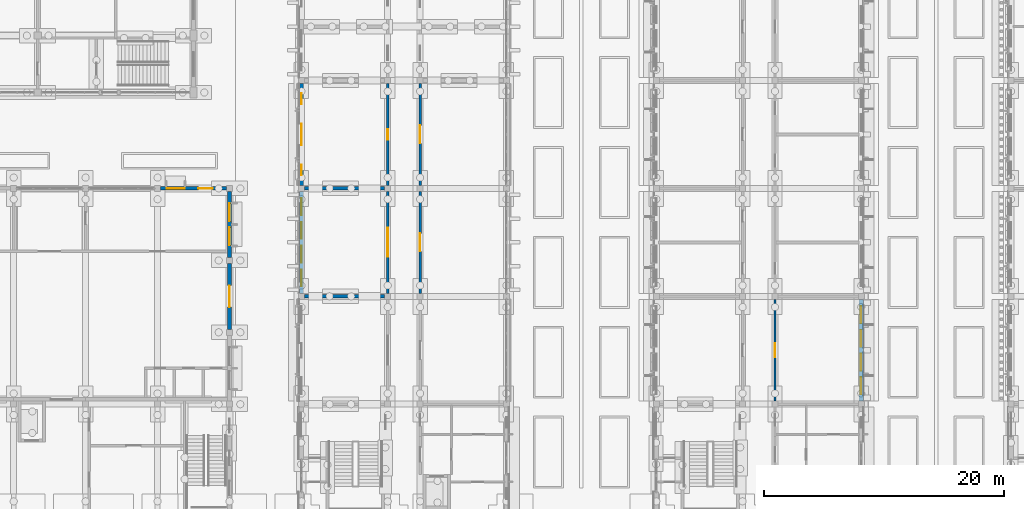
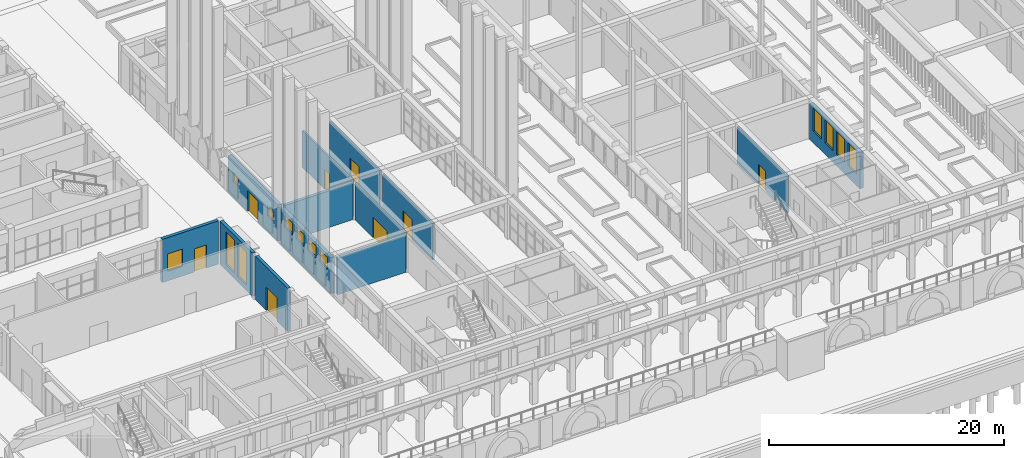
# One storey, part 61 of 161: 13 walls, 13 windows, 8 doors, 21 openings.
"""IFC4 building model written with IfcOpenShell, lengths in metres."""

from ifc_helpers import new_model, si_unit, direction, frame, frame_2d, origin, place, context, subcontext, project, spatial, rectangle, extrude, material, layer, layer_set, type_object, element, fill, save


model = new_model("IFC4")

# Units and contexts
model_context = context("Model", 3, precision=1e-05, world=origin(), true_north=direction((0.0, 1.0)))
body_context = subcontext(model_context, "Body", "Model", "MODEL_VIEW")
ifc_project = project(units=[si_unit("LENGTHUNIT", "METRE"), si_unit("AREAUNIT", "SQUARE_METRE"), si_unit("VOLUMEUNIT", "CUBIC_METRE"), si_unit("PLANEANGLEUNIT", "RADIAN"), si_unit("MASSUNIT", "GRAM", prefix="KILO")], contexts=[model_context])

# Site, building, storey
site_placement = place(None, origin())
site = spatial("IfcSite", under=ifc_project, at=site_placement, CompositionType="ELEMENT")
building_placement = place(site_placement, origin())
building = spatial("IfcBuilding", under=site, at=building_placement, Name="Elbe Cascade School", CompositionType="ELEMENT")
storey_placement = place(building_placement, origin())
storey = spatial("IfcBuildingStorey", under=building, at=storey_placement, Name="L00", CompositionType="ELEMENT", Elevation=0.0)

# Wall, opening, door
ifc_material_1 = material(Name="Masonry - lime-sand block, plastered", Category="masonry")
ifc_layer_1 = layer(ifc_material_1, 0.199951171875)
ifc_layer_set_1 = layer_set([ifc_layer_1], Name="Masonry - lime-sand block, plastered")
wall_type_1 = type_object("IfcWallType", Name="Bar corridor wall lime-sand block 200 EI 30", PredefinedType="PARTITIONING", material=ifc_layer_set_1)
wall_1_placement = place(storey_placement, frame((76.199951171875, 24.25, 0.0), z_axis=(0.0, 0.0, 1.0), x_axis=(0.0, 1.0, 0.0)))
wall_1 = element("IfcWall", 1, at=wall_1_placement, inside=storey, type_object=wall_type_1, Name="Bar corridor wall lime-sand block 200 EI 30", PredefinedType="PARTITIONING", context=body_context, shape_type="SweptSolid", body=[
    extrude(rectangle(XDim=8.5, YDim=0.199951171875, at=frame_2d((4.25, 0.0))), origin(), (0.0, 0.0, 1.0), 3.800048828125),
])
opening_1_placement = place(wall_1_placement, frame((3.050048828125, 0.0, 0.0)))
opening_1 = element("IfcOpeningElement", 2, at=opening_1_placement, cuts=wall_1, Name="Opening D0.015", PredefinedType="OPENING", context=body_context, shape_type="SweptSolid", body=[
    extrude(rectangle(XDim=2.39990234375, YDim=2.10009765625, at=frame_2d((1.199951171875, 1.050048828125))), frame((0.0, 0.10986328125, 0.0), z_axis=(0.0, -1.0, 0.0), x_axis=(1.0, 0.0, 0.0)), (0.0, 0.0, 1.0), 0.219970703125),
])
ifc_material_2 = material(Name="Steel door leaves, fire-resisting, steel frame", Category="steel")
door_type_1 = type_object("IfcDoorType", Name="Bar door FD30 2400x2100", OperationType="NOTDEFINED", PredefinedType="DOOR", material=ifc_material_2)
door_1_placement = place(opening_1_placement, origin())
door_1 = element("IfcDoor", 3, at=door_1_placement, inside=storey, type_object=door_type_1, Name="Door A0.21", OperationType="DOUBLE_DOOR_DOUBLE_SWING", OverallHeight=2.10009765625, OverallWidth=2.39990234375, PredefinedType="DOOR", context=body_context, shape_type="SweptSolid", body=[
    extrude(rectangle(XDim=2.39990234375, YDim=2.10009765625, at=frame_2d((1.199951171875, 1.050048828125))), frame((0.0, 0.02490234375, 0.0), z_axis=(0.0, -1.0, 0.0), x_axis=(1.0, 0.0, 0.0)), (0.0, 0.0, 1.0), 0.050048828125),
])
fill(opening_1, door_1)

wall_2_placement = place(storey_placement, frame((76.199951171875, 33.25, 0.0), z_axis=(0.0, 0.0, 1.0), x_axis=(0.0, 1.0, 0.0)))
wall_2 = element("IfcWall", 4, at=wall_2_placement, inside=storey, type_object=wall_type_1, Name="Bar corridor wall lime-sand block 200 EI 30", PredefinedType="PARTITIONING", context=body_context, shape_type="SweptSolid", body=[
    extrude(rectangle(XDim=8.5, YDim=0.199951171875, at=frame_2d((4.25, 0.0))), origin(), (0.0, 0.0, 1.0), 3.800048828125),
])
opening_2_placement = place(wall_2_placement, frame((3.800048828125, 0.0, 0.0)))
opening_2 = element("IfcOpeningElement", 5, at=opening_2_placement, cuts=wall_2, Name="Opening D0.018", PredefinedType="OPENING", context=body_context, shape_type="SweptSolid", body=[
    extrude(rectangle(XDim=0.89990234375, YDim=2.10009765625, at=frame_2d((0.449951171875, 1.050048828125))), frame((0.0, 0.10986328125, 0.0), z_axis=(0.0, -1.0, 0.0), x_axis=(1.0, 0.0, 0.0)), (0.0, 0.0, 1.0), 0.219970703125),
])
ifc_material_3 = material(Name="Timber door leaf, fire-resisting, steel frame", Category="steel")
door_type_2 = type_object("IfcDoorType", Name="Bar door FD30 900x2100", OperationType="NOTDEFINED", PredefinedType="DOOR", material=ifc_material_3)
door_2_placement = place(opening_2_placement, origin())
door_2 = element("IfcDoor", 6, at=door_2_placement, inside=storey, type_object=door_type_2, Name="Door A0.22", OperationType="SINGLE_SWING_LEFT", OverallHeight=2.10009765625, OverallWidth=0.89990234375, PredefinedType="DOOR", context=body_context, shape_type="SweptSolid", body=[
    extrude(rectangle(XDim=0.89990234375, YDim=2.10009765625, at=frame_2d((0.449951171875, 1.050048828125))), frame((0.0, 0.02490234375, 0.0), z_axis=(0.0, -1.0, 0.0), x_axis=(1.0, 0.0, 0.0)), (0.0, 0.0, 1.0), 0.050048828125),
])
fill(opening_2, door_2)

wall_3_placement = place(storey_placement, frame((78.89990234375, 32.75, 0.0), z_axis=(0.0, 0.0, 1.0), x_axis=(0.0, -1.0, 0.0)))
wall_3 = element("IfcWall", 7, at=wall_3_placement, inside=storey, type_object=wall_type_1, Name="Bar corridor wall lime-sand block 200 EI 30", PredefinedType="PARTITIONING", context=body_context, shape_type="SweptSolid", body=[
    extrude(rectangle(XDim=8.5, YDim=0.199951171875, at=frame_2d((4.25, 0.0))), origin(), (0.0, 0.0, 1.0), 3.800048828125),
])
opening_3_placement = place(wall_3_placement, frame((3.5, 0.0, 0.0)))
opening_3 = element("IfcOpeningElement", 8, at=opening_3_placement, cuts=wall_3, Name="Opening D0.016", PredefinedType="OPENING", context=body_context, shape_type="SweptSolid", body=[
    extrude(rectangle(XDim=1.5, YDim=2.10009765625, at=frame_2d((0.75, 1.050048828125))), frame((0.0, 0.10986328125, 0.0), z_axis=(0.0, -1.0, 0.0), x_axis=(1.0, 0.0, 0.0)), (0.0, 0.0, 1.0), 0.219970703125),
])
ifc_material_4 = material(Name="Timber door leaves, fire-resisting, steel frame", Category="steel")
door_type_3 = type_object("IfcDoorType", Name="Bar door FD30 1500x2100", OperationType="NOTDEFINED", PredefinedType="DOOR", material=ifc_material_4)
door_3_placement = place(opening_3_placement, origin())
door_3 = element("IfcDoor", 9, at=door_3_placement, inside=storey, type_object=door_type_3, Name="Door A0.25b", OperationType="DOUBLE_DOOR_SINGLE_SWING", OverallHeight=2.10009765625, OverallWidth=1.5, PredefinedType="DOOR", context=body_context, shape_type="SweptSolid", body=[
    extrude(rectangle(XDim=1.5, YDim=2.10009765625, at=frame_2d((0.75, 1.050048828125))), frame((0.0, 0.02490234375, 0.0), z_axis=(0.0, -1.0, 0.0), x_axis=(1.0, 0.0, 0.0)), (0.0, 0.0, 1.0), 0.050048828125),
])
fill(opening_3, door_3)

wall_4_placement = place(storey_placement, frame((78.89990234375, 41.75, 0.0), z_axis=(0.0, 0.0, 1.0), x_axis=(0.0, -1.0, 0.0)))
wall_4 = element("IfcWall", 10, at=wall_4_placement, inside=storey, type_object=wall_type_1, Name="Bar corridor wall lime-sand block 200 EI 30", PredefinedType="PARTITIONING", context=body_context, shape_type="SweptSolid", body=[
    extrude(rectangle(XDim=8.5, YDim=0.199951171875, at=frame_2d((4.25, 0.0))), origin(), (0.0, 0.0, 1.0), 3.800048828125),
])
opening_4_placement = place(wall_4_placement, frame((3.5, 0.0, 0.0)))
opening_4 = element("IfcOpeningElement", 11, at=opening_4_placement, cuts=wall_4, Name="Opening D0.019", PredefinedType="OPENING", context=body_context, shape_type="SweptSolid", body=[
    extrude(rectangle(XDim=1.5, YDim=2.10009765625, at=frame_2d((0.75, 1.050048828125))), frame((0.0, 0.10986328125, 0.0), z_axis=(0.0, -1.0, 0.0), x_axis=(1.0, 0.0, 0.0)), (0.0, 0.0, 1.0), 0.219970703125),
])
door_4_placement = place(opening_4_placement, origin())
door_4 = element("IfcDoor", 12, at=door_4_placement, inside=storey, type_object=door_type_3, Name="Door A0.25c", OperationType="DOUBLE_DOOR_SINGLE_SWING", OverallHeight=2.10009765625, OverallWidth=1.5, PredefinedType="DOOR", context=body_context, shape_type="SweptSolid", body=[
    extrude(rectangle(XDim=1.5, YDim=2.10009765625, at=frame_2d((0.75, 1.050048828125))), frame((0.0, 0.02490234375, 0.0), z_axis=(0.0, -1.0, 0.0), x_axis=(1.0, 0.0, 0.0)), (0.0, 0.0, 1.0), 0.050048828125),
])
fill(opening_4, door_4)

wall_5_placement = place(storey_placement, frame((108.5, 23.75, 0.0), z_axis=(0.0, 0.0, 1.0), x_axis=(0.0, -1.0, 0.0)))
wall_5 = element("IfcWall", 13, at=wall_5_placement, inside=storey, type_object=wall_type_1, Name="Bar corridor wall lime-sand block 200 EI 30", PredefinedType="PARTITIONING", context=body_context, shape_type="SweptSolid", body=[
    extrude(rectangle(XDim=8.5, YDim=0.199951171875, at=frame_2d((4.25, 0.0))), origin(), (0.0, 0.0, 1.0), 3.800048828125),
])
opening_5_placement = place(wall_5_placement, frame((3.64990234375, 0.0, 0.0)))
opening_5 = element("IfcOpeningElement", 14, at=opening_5_placement, cuts=wall_5, Name="Opening D0.048", PredefinedType="OPENING", context=body_context, shape_type="SweptSolid", body=[
    extrude(rectangle(XDim=1.199951171875, YDim=2.10009765625, at=frame_2d((0.60009765625, 1.050048828125))), frame((0.0, 0.10986328125, 0.0), z_axis=(0.0, -1.0, 0.0), x_axis=(1.0, 0.0, 0.0)), (0.0, 0.0, 1.0), 0.219970703125),
])
ifc_material_5 = material(Name="Timber door leaf, fire-resisting, steel frame", Category="steel")
door_type_4 = type_object("IfcDoorType", Name="Bar door FD30 1200x2100", OperationType="NOTDEFINED", PredefinedType="DOOR", material=ifc_material_5)
door_5_placement = place(opening_5_placement, origin())
door_5 = element("IfcDoor", 15, at=door_5_placement, inside=storey, type_object=door_type_4, Name="Door B0.24", OperationType="SINGLE_SWING_LEFT", OverallHeight=2.10009765625, OverallWidth=1.199951171875, PredefinedType="DOOR", context=body_context, shape_type="SweptSolid", body=[
    extrude(rectangle(XDim=1.199951171875, YDim=2.10009765625, at=frame_2d((0.60009765625, 1.050048828125))), frame((0.0, 0.02490234375, 0.0), z_axis=(0.0, -1.0, 0.0), x_axis=(1.0, 0.0, 0.0)), (0.0, 0.0, 1.0), 0.050048828125),
])
fill(opening_5, door_5)

# Walls
ifc_material_6 = material(Name="Concrete C30/37", Category="concrete")
ifc_layer_2 = layer(ifc_material_6, 0.300048828125)
ifc_layer_set_2 = layer_set([ifc_layer_2], Name="Concrete C30/37")
wall_type_2 = type_object("IfcWallType", Name="Bar plant room wall RC 300", PredefinedType="SOLIDWALL", material=ifc_layer_set_2)
for number, where, z_axis, x_axis, name in (
    (16, (69.25, 24.0, 0.0), (0.0, 0.0, 1.0), (1.0, 0.0, 0.0), "Bar plant room wall RC 300"),
    (17, (69.25, 33.0, 0.0), (0.0, 0.0, 1.0), (1.0, 0.0, 0.0), "Bar plant room wall RC 300"),
):
    element("IfcWall", number, at=place(storey_placement, frame(where, z_axis=z_axis, x_axis=x_axis)), inside=storey, type_object=wall_type_2, Name=name, PredefinedType="SOLIDWALL", context=body_context, shape_type="SweptSolid", body=[
        extrude(rectangle(XDim=6.699951171875, YDim=0.300048828125, at=frame_2d((3.35009765625, 0.0))), origin(), (0.0, 0.0, 1.0), 3.800048828125),
    ])

# Wall, openings, windows
ifc_material_7 = material(Name="Brick masonry - red clinker, cavity wall with render backing", Category="masonry")
ifc_layer_3 = layer(ifc_material_7, 0.360107421875)
ifc_layer_set_3 = layer_set([ifc_layer_3], Name="Brick masonry - red clinker, cavity wall with render backing")
wall_type_3 = type_object("IfcWallType", Name="Bars envelope External wall - clinker brick cavity, 360 ground floor", PredefinedType="STANDARD", material=ifc_layer_set_3)
wall_6_placement = place(storey_placement, frame((69.0, 24.25, 0.0), z_axis=(0.0, 0.0, 1.0), x_axis=(0.0, 1.0, 0.0)))
wall_6 = element("IfcWall", 18, at=wall_6_placement, inside=storey, type_object=wall_type_3, Name="External wall W29 A.L00.w3", PredefinedType="STANDARD", context=body_context, shape_type="SweptSolid", body=[
    extrude(rectangle(XDim=8.5, YDim=0.360107421875, at=frame_2d((4.25, 0.0))), origin(), (0.0, 0.0, 1.0), 3.75),
])
opening_6_placement = place(wall_6_placement, frame((0.580078125, 0.0, 2.199951171875)))
opening_6 = element("IfcOpeningElement", 19, at=opening_6_placement, cuts=wall_6, Name="Opening W0.005", PredefinedType="OPENING", context=body_context, shape_type="SweptSolid", body=[
    extrude(rectangle(XDim=1.39990234375, YDim=1.199951171875, at=frame_2d((0.699951171875, 0.60009765625))), frame((0.0, 0.18994140625, 0.0), z_axis=(0.0, -1.0, 0.0), x_axis=(1.0, 0.0, 0.0)), (0.0, 0.0, 1.0), 0.380126953125),
])
opening_7_placement = place(wall_6_placement, frame((2.56005859375, 0.0, 2.199951171875)))
opening_7 = element("IfcOpeningElement", 20, at=opening_7_placement, cuts=wall_6, Name="Opening W0.006", PredefinedType="OPENING", context=body_context, shape_type="SweptSolid", body=[
    extrude(rectangle(XDim=1.39990234375, YDim=1.199951171875, at=frame_2d((0.699951171875, 0.60009765625))), frame((0.0, 0.18994140625, 0.0), z_axis=(0.0, -1.0, 0.0), x_axis=(1.0, 0.0, 0.0)), (0.0, 0.0, 1.0), 0.380126953125),
])
opening_8_placement = place(wall_6_placement, frame((4.5400390625, 0.0, 2.199951171875)))
opening_8 = element("IfcOpeningElement", 21, at=opening_8_placement, cuts=wall_6, Name="Opening W0.007", PredefinedType="OPENING", context=body_context, shape_type="SweptSolid", body=[
    extrude(rectangle(XDim=1.39990234375, YDim=1.199951171875, at=frame_2d((0.699951171875, 0.60009765625))), frame((0.0, 0.18994140625, 0.0), z_axis=(0.0, -1.0, 0.0), x_axis=(1.0, 0.0, 0.0)), (0.0, 0.0, 1.0), 0.380126953125),
])
opening_9_placement = place(wall_6_placement, frame((6.52001953125, 0.0, 2.199951171875)))
opening_9 = element("IfcOpeningElement", 22, at=opening_9_placement, cuts=wall_6, Name="Opening W0.008", PredefinedType="OPENING", context=body_context, shape_type="SweptSolid", body=[
    extrude(rectangle(XDim=1.39990234375, YDim=1.199951171875, at=frame_2d((0.699951171875, 0.60009765625))), frame((0.0, 0.18994140625, 0.0), z_axis=(0.0, -1.0, 0.0), x_axis=(1.0, 0.0, 0.0)), (0.0, 0.0, 1.0), 0.380126953125),
])
ifc_material_8 = material(Name="Aluminium louvre, bronze anodised", Category="aluminium")
window_type_1 = type_object("IfcWindowType", Name="Bars envelope Window 1400 x 1200, plant room louvre, aluminium double glazed", PartitioningType="DOUBLE_PANEL_VERTICAL", PredefinedType="WINDOW", material=ifc_material_8)
window_1_placement = place(opening_6_placement, origin())
window_1 = element("IfcWindow", 23, at=window_1_placement, inside=storey, type_object=window_type_1, Name="Window WN3 A.L00.w3.1", OverallHeight=1.199951171875, OverallWidth=1.39990234375, PartitioningType="DOUBLE_PANEL_VERTICAL", PredefinedType="WINDOW", context=body_context, shape_type="SweptSolid", body=[
    extrude(rectangle(XDim=1.39990234375, YDim=1.199951171875, at=frame_2d((0.699951171875, 0.60009765625))), frame((0.0, 0.030029296875, 0.0), z_axis=(0.0, -1.0, 0.0), x_axis=(1.0, 0.0, 0.0)), (0.0, 0.0, 1.0), 0.06005859375),
])
fill(opening_6, window_1)
window_2_placement = place(opening_7_placement, origin())
window_2 = element("IfcWindow", 24, at=window_2_placement, inside=storey, type_object=window_type_1, Name="Window WN3 A.L00.w3.2", OverallHeight=1.199951171875, OverallWidth=1.39990234375, PartitioningType="DOUBLE_PANEL_VERTICAL", PredefinedType="WINDOW", context=body_context, shape_type="SweptSolid", body=[
    extrude(rectangle(XDim=1.39990234375, YDim=1.199951171875, at=frame_2d((0.699951171875, 0.60009765625))), frame((0.0, 0.030029296875, 0.0), z_axis=(0.0, -1.0, 0.0), x_axis=(1.0, 0.0, 0.0)), (0.0, 0.0, 1.0), 0.06005859375),
])
fill(opening_7, window_2)
window_3_placement = place(opening_8_placement, origin())
window_3 = element("IfcWindow", 25, at=window_3_placement, inside=storey, type_object=window_type_1, Name="Window WN3 A.L00.w3.3", OverallHeight=1.199951171875, OverallWidth=1.39990234375, PartitioningType="DOUBLE_PANEL_VERTICAL", PredefinedType="WINDOW", context=body_context, shape_type="SweptSolid", body=[
    extrude(rectangle(XDim=1.39990234375, YDim=1.199951171875, at=frame_2d((0.699951171875, 0.60009765625))), frame((0.0, 0.030029296875, 0.0), z_axis=(0.0, -1.0, 0.0), x_axis=(1.0, 0.0, 0.0)), (0.0, 0.0, 1.0), 0.06005859375),
])
fill(opening_8, window_3)
window_4_placement = place(opening_9_placement, origin())
window_4 = element("IfcWindow", 26, at=window_4_placement, inside=storey, type_object=window_type_1, Name="Window WN3 A.L00.w3.4", OverallHeight=1.199951171875, OverallWidth=1.39990234375, PartitioningType="DOUBLE_PANEL_VERTICAL", PredefinedType="WINDOW", context=body_context, shape_type="SweptSolid", body=[
    extrude(rectangle(XDim=1.39990234375, YDim=1.199951171875, at=frame_2d((0.699951171875, 0.60009765625))), frame((0.0, 0.030029296875, 0.0), z_axis=(0.0, -1.0, 0.0), x_axis=(1.0, 0.0, 0.0)), (0.0, 0.0, 1.0), 0.06005859375),
])
fill(opening_9, window_4)

# Wall, openings, door, windows
wall_7_placement = place(storey_placement, frame((69.0, 33.25, 0.0), z_axis=(0.0, 0.0, 1.0), x_axis=(0.0, 1.0, 0.0)))
wall_7 = element("IfcWall", 27, at=wall_7_placement, inside=storey, type_object=wall_type_3, Name="External wall W29 A.L00.w4", PredefinedType="STANDARD", context=body_context, shape_type="SweptSolid", body=[
    extrude(rectangle(XDim=8.5, YDim=0.360107421875, at=frame_2d((4.25, 0.0))), origin(), (0.0, 0.0, 1.0), 3.75),
])
opening_10_placement = place(wall_7_placement, frame((0.830078125, 0.0, 1.60009765625)))
opening_10 = element("IfcOpeningElement", 28, at=opening_10_placement, cuts=wall_7, Name="Opening W0.009", PredefinedType="OPENING", context=body_context, shape_type="SweptSolid", body=[
    extrude(rectangle(XDim=0.89990234375, YDim=1.0, at=frame_2d((0.449951171875, 0.5))), frame((0.0, 0.18994140625, 0.0), z_axis=(0.0, -1.0, 0.0), x_axis=(1.0, 0.0, 0.0)), (0.0, 0.0, 1.0), 0.380126953125),
])
opening_11_placement = place(wall_7_placement, frame((3.35009765625, 0.0, 0.0)))
opening_11 = element("IfcOpeningElement", 29, at=opening_11_placement, cuts=wall_7, Name="Opening D0.017", PredefinedType="OPENING", context=body_context, shape_type="SweptSolid", body=[
    extrude(rectangle(XDim=1.800048828125, YDim=2.10009765625, at=frame_2d((0.89990234375, 1.050048828125))), frame((0.0, 0.18994140625, 0.0), z_axis=(0.0, -1.0, 0.0), x_axis=(1.0, 0.0, 0.0)), (0.0, 0.0, 1.0), 0.380126953125),
])
opening_12_placement = place(wall_7_placement, frame((6.77001953125, 0.0, 1.60009765625)))
opening_12 = element("IfcOpeningElement", 30, at=opening_12_placement, cuts=wall_7, Name="Opening W0.010", PredefinedType="OPENING", context=body_context, shape_type="SweptSolid", body=[
    extrude(rectangle(XDim=0.89990234375, YDim=1.0, at=frame_2d((0.449951171875, 0.5))), frame((0.0, 0.18994140625, 0.0), z_axis=(0.0, -1.0, 0.0), x_axis=(1.0, 0.0, 0.0)), (0.0, 0.0, 1.0), 0.380126953125),
])
ifc_material_9 = material(Name="Steel door set, fire resisting", Category="steel")
door_type_5 = type_object("IfcDoorType", Name="Bars envelope Cycle store door, double leaf, 1800 x 2100, fire resisting", OperationType="DOUBLE_DOOR_SINGLE_SWING", PredefinedType="DOOR", material=ifc_material_9)
door_6_placement = place(opening_11_placement, origin())
door_6 = element("IfcDoor", 31, at=door_6_placement, inside=storey, type_object=door_type_5, Name="Cycle store door D14 A.L00.w4", OperationType="DOUBLE_DOOR_SINGLE_SWING", OverallHeight=2.10009765625, OverallWidth=1.800048828125, PredefinedType="DOOR", context=body_context, shape_type="SweptSolid", body=[
    extrude(rectangle(XDim=1.800048828125, YDim=2.10009765625, at=frame_2d((0.89990234375, 1.050048828125))), frame((0.0, 0.02490234375, 0.0), z_axis=(0.0, -1.0, 0.0), x_axis=(1.0, 0.0, 0.0)), (0.0, 0.0, 1.0), 0.050048828125),
])
fill(opening_11, door_6)
ifc_material_10 = material(Name="Aluminium frame with double glazing, bronze anodised", Category="aluminium")
window_type_2 = type_object("IfcWindowType", Name="Bars envelope Window 900 x 1000, WC and service room, high level, aluminium double glazed", PartitioningType="SINGLE_PANEL", PredefinedType="WINDOW", material=ifc_material_10)
window_5_placement = place(opening_10_placement, origin())
window_5 = element("IfcWindow", 32, at=window_5_placement, inside=storey, type_object=window_type_2, Name="Window WN4 A.L00.w4.1", OverallHeight=1.0, OverallWidth=0.89990234375, PartitioningType="SINGLE_PANEL", PredefinedType="WINDOW", context=body_context, shape_type="SweptSolid", body=[
    extrude(rectangle(XDim=0.89990234375, YDim=1.0, at=frame_2d((0.449951171875, 0.5))), frame((0.0, 0.030029296875, 0.0), z_axis=(0.0, -1.0, 0.0), x_axis=(1.0, 0.0, 0.0)), (0.0, 0.0, 1.0), 0.06005859375),
])
fill(opening_10, window_5)
window_6_placement = place(opening_12_placement, origin())
window_6 = element("IfcWindow", 33, at=window_6_placement, inside=storey, type_object=window_type_2, Name="Window WN4 A.L00.w4.3", OverallHeight=1.0, OverallWidth=0.89990234375, PartitioningType="SINGLE_PANEL", PredefinedType="WINDOW", context=body_context, shape_type="SweptSolid", body=[
    extrude(rectangle(XDim=0.89990234375, YDim=1.0, at=frame_2d((0.449951171875, 0.5))), frame((0.0, 0.030029296875, 0.0), z_axis=(0.0, -1.0, 0.0), x_axis=(1.0, 0.0, 0.0)), (0.0, 0.0, 1.0), 0.06005859375),
])
fill(opening_12, window_6)

# Wall, openings, windows
wall_8_placement = place(storey_placement, frame((115.699951171875, 23.75, 0.0), z_axis=(0.0, 0.0, 1.0), x_axis=(0.0, -1.0, 0.0)))
wall_8 = element("IfcWall", 34, at=wall_8_placement, inside=storey, type_object=wall_type_3, Name="External wall W29 B.L00.e2", PredefinedType="STANDARD", context=body_context, shape_type="SweptSolid", body=[
    extrude(rectangle(XDim=8.5, YDim=0.360107421875, at=frame_2d((4.25, 0.0))), origin(), (0.0, 0.0, 1.0), 3.75),
])
opening_13_placement = place(wall_8_placement, frame((6.52001953125, 0.0, 1.199951171875)))
opening_13 = element("IfcOpeningElement", 35, at=opening_13_placement, cuts=wall_8, Name="Opening W0.018", PredefinedType="OPENING", context=body_context, shape_type="SweptSolid", body=[
    extrude(rectangle(XDim=1.39990234375, YDim=2.39990234375, at=frame_2d((0.699951171875, 1.199951171875))), frame((0.0, 0.18994140625, 0.0), z_axis=(0.0, -1.0, 0.0), x_axis=(1.0, 0.0, 0.0)), (0.0, 0.0, 1.0), 0.380126953125),
])
opening_14_placement = place(wall_8_placement, frame((4.5400390625, 0.0, 1.199951171875)))
opening_14 = element("IfcOpeningElement", 36, at=opening_14_placement, cuts=wall_8, Name="Opening W0.020", PredefinedType="OPENING", context=body_context, shape_type="SweptSolid", body=[
    extrude(rectangle(XDim=1.39990234375, YDim=2.39990234375, at=frame_2d((0.699951171875, 1.199951171875))), frame((0.0, 0.18994140625, 0.0), z_axis=(0.0, -1.0, 0.0), x_axis=(1.0, 0.0, 0.0)), (0.0, 0.0, 1.0), 0.380126953125),
])
opening_15_placement = place(wall_8_placement, frame((2.56005859375, 0.0, 1.199951171875)))
opening_15 = element("IfcOpeningElement", 37, at=opening_15_placement, cuts=wall_8, Name="Opening W0.022", PredefinedType="OPENING", context=body_context, shape_type="SweptSolid", body=[
    extrude(rectangle(XDim=1.39990234375, YDim=2.39990234375, at=frame_2d((0.699951171875, 1.199951171875))), frame((0.0, 0.18994140625, 0.0), z_axis=(0.0, -1.0, 0.0), x_axis=(1.0, 0.0, 0.0)), (0.0, 0.0, 1.0), 0.380126953125),
])
opening_16_placement = place(wall_8_placement, frame((0.580078125, 0.0, 1.199951171875)))
opening_16 = element("IfcOpeningElement", 38, at=opening_16_placement, cuts=wall_8, Name="Opening W0.024", PredefinedType="OPENING", context=body_context, shape_type="SweptSolid", body=[
    extrude(rectangle(XDim=1.39990234375, YDim=2.39990234375, at=frame_2d((0.699951171875, 1.199951171875))), frame((0.0, 0.18994140625, 0.0), z_axis=(0.0, -1.0, 0.0), x_axis=(1.0, 0.0, 0.0)), (0.0, 0.0, 1.0), 0.380126953125),
])
ifc_material_11 = material(Name="Aluminium frame with double glazing, bronze anodised", Category="aluminium")
window_type_3 = type_object("IfcWindowType", Name="Bars envelope Window 1400 x 2400, music and art studio, high sill, aluminium double glazed", PartitioningType="DOUBLE_PANEL_VERTICAL", PredefinedType="WINDOW", material=ifc_material_11)
window_7_placement = place(opening_13_placement, origin())
window_7 = element("IfcWindow", 39, at=window_7_placement, inside=storey, type_object=window_type_3, Name="Window WN11 B.L00.e2.1", OverallHeight=2.39990234375, OverallWidth=1.39990234375, PartitioningType="DOUBLE_PANEL_VERTICAL", PredefinedType="WINDOW", context=body_context, shape_type="SweptSolid", body=[
    extrude(rectangle(XDim=1.39990234375, YDim=2.39990234375, at=frame_2d((0.699951171875, 1.199951171875))), frame((0.0, 0.030029296875, 0.0), z_axis=(0.0, -1.0, 0.0), x_axis=(1.0, 0.0, 0.0)), (0.0, 0.0, 1.0), 0.06005859375),
])
fill(opening_13, window_7)
window_8_placement = place(opening_14_placement, origin())
window_8 = element("IfcWindow", 40, at=window_8_placement, inside=storey, type_object=window_type_3, Name="Window WN11 B.L00.e2.2", OverallHeight=2.39990234375, OverallWidth=1.39990234375, PartitioningType="DOUBLE_PANEL_VERTICAL", PredefinedType="WINDOW", context=body_context, shape_type="SweptSolid", body=[
    extrude(rectangle(XDim=1.39990234375, YDim=2.39990234375, at=frame_2d((0.699951171875, 1.199951171875))), frame((0.0, 0.030029296875, 0.0), z_axis=(0.0, -1.0, 0.0), x_axis=(1.0, 0.0, 0.0)), (0.0, 0.0, 1.0), 0.06005859375),
])
fill(opening_14, window_8)
window_9_placement = place(opening_15_placement, origin())
window_9 = element("IfcWindow", 41, at=window_9_placement, inside=storey, type_object=window_type_3, Name="Window WN11 B.L00.e2.3", OverallHeight=2.39990234375, OverallWidth=1.39990234375, PartitioningType="DOUBLE_PANEL_VERTICAL", PredefinedType="WINDOW", context=body_context, shape_type="SweptSolid", body=[
    extrude(rectangle(XDim=1.39990234375, YDim=2.39990234375, at=frame_2d((0.699951171875, 1.199951171875))), frame((0.0, 0.030029296875, 0.0), z_axis=(0.0, -1.0, 0.0), x_axis=(1.0, 0.0, 0.0)), (0.0, 0.0, 1.0), 0.06005859375),
])
fill(opening_15, window_9)
window_10_placement = place(opening_16_placement, origin())
window_10 = element("IfcWindow", 42, at=window_10_placement, inside=storey, type_object=window_type_3, Name="Window WN11 B.L00.e2.4", OverallHeight=2.39990234375, OverallWidth=1.39990234375, PartitioningType="DOUBLE_PANEL_VERTICAL", PredefinedType="WINDOW", context=body_context, shape_type="SweptSolid", body=[
    extrude(rectangle(XDim=1.39990234375, YDim=2.39990234375, at=frame_2d((0.699951171875, 1.199951171875))), frame((0.0, 0.030029296875, 0.0), z_axis=(0.0, -1.0, 0.0), x_axis=(1.0, 0.0, 0.0)), (0.0, 0.0, 1.0), 0.06005859375),
])
fill(opening_16, window_10)

# Wall, opening, door
ifc_material_12 = material(Name="Concrete C30/37", Category="concrete")
ifc_layer_4 = layer(ifc_material_12, 0.300048828125)
ifc_layer_set_4 = layer_set([ifc_layer_4], Name="Concrete C30/37")
wall_type_4 = type_object("IfcWallType", Name="Dining hall RC wall 300", PredefinedType="SOLIDWALL", material=ifc_layer_set_4)
wall_9_placement = place(storey_placement, frame((63.0, 26.75, 0.0), z_axis=(0.0, 0.0, 1.0), x_axis=(0.0, -1.0, 0.0)))
wall_9 = element("IfcWall", 43, at=wall_9_placement, inside=storey, type_object=wall_type_4, Name="Dining hall RC wall 300 W11", PredefinedType="SOLIDWALL", context=body_context, shape_type="SweptSolid", body=[
    extrude(rectangle(XDim=5.5, YDim=0.300048828125, at=frame_2d((2.75, 0.0))), origin(), (0.0, 0.0, 1.0), 4.5),
])
opening_17_placement = place(wall_9_placement, frame((1.85009765625, 0.0, 0.0)))
opening_17 = element("IfcOpeningElement", 44, at=opening_17_placement, cuts=wall_9, Name="Opening D0.183", PredefinedType="OPENING", context=body_context, shape_type="SweptSolid", body=[
    extrude(rectangle(XDim=1.800048828125, YDim=2.39990234375, at=frame_2d((0.89990234375, 1.199951171875))), frame((0.0, 0.159912109375, 0.0), z_axis=(0.0, -1.0, 0.0), x_axis=(1.0, 0.0, 0.0)), (0.0, 0.0, 1.0), 0.320068359375),
])
ifc_material_13 = material(Name="Timber - oak door leaf", Category="wood")
door_type_6 = type_object("IfcDoorType", Name="Dining hall exit door 1800x2400 double NOT RATED", OperationType="DOUBLE_DOOR_SINGLE_SWING", PredefinedType="NOTDEFINED", material=ifc_material_13)
door_7_placement = place(opening_17_placement, origin())
door_7 = element("IfcDoor", 45, at=door_7_placement, inside=storey, type_object=door_type_6, Name="Dining hall exit door 1800x2400 double NOT RATED D0.183", OperationType="DOUBLE_DOOR_SINGLE_SWING", OverallHeight=2.39990234375, OverallWidth=1.800048828125, PredefinedType="NOTDEFINED", context=body_context, shape_type="SweptSolid", body=[
    extrude(rectangle(XDim=1.800048828125, YDim=2.39990234375, at=frame_2d((0.89990234375, 1.199951171875))), frame((0.0, 0.02490234375, 0.0), z_axis=(0.0, -1.0, 0.0), x_axis=(1.0, 0.0, 0.0)), (0.0, 0.0, 1.0), 0.050048828125),
])
fill(opening_17, door_7)

# Wall, openings, windows
wall_10_placement = place(storey_placement, frame((63.0, 32.75, 0.0), z_axis=(0.0, 0.0, 1.0), x_axis=(0.0, -1.0, 0.0)))
wall_10 = element("IfcWall", 46, at=wall_10_placement, inside=storey, type_object=wall_type_4, Name="Dining hall RC wall 300 W11", PredefinedType="SOLIDWALL", context=body_context, shape_type="SweptSolid", body=[
    extrude(rectangle(XDim=5.5, YDim=0.300048828125, at=frame_2d((2.75, 0.0))), origin(), (0.0, 0.0, 1.0), 4.5),
])
opening_18_placement = place(wall_10_placement, frame((3.0, 0.0, 0.60009765625)))
opening_18 = element("IfcOpeningElement", 47, at=opening_18_placement, cuts=wall_10, Name="Opening W0.153", PredefinedType="OPENING", context=body_context, shape_type="SweptSolid", body=[
    extrude(rectangle(XDim=1.5, YDim=3.39990234375, at=frame_2d((0.75, 1.699951171875))), frame((0.0, 0.159912109375, 0.0), z_axis=(0.0, -1.0, 0.0), x_axis=(1.0, 0.0, 0.0)), (0.0, 0.0, 1.0), 0.320068359375),
])
opening_19_placement = place(wall_10_placement, frame((1.0, 0.0, 0.60009765625)))
opening_19 = element("IfcOpeningElement", 48, at=opening_19_placement, cuts=wall_10, Name="Opening W0.155", PredefinedType="OPENING", context=body_context, shape_type="SweptSolid", body=[
    extrude(rectangle(XDim=1.5, YDim=3.39990234375, at=frame_2d((0.75, 1.699951171875))), frame((0.0, 0.159912109375, 0.0), z_axis=(0.0, -1.0, 0.0), x_axis=(1.0, 0.0, 0.0)), (0.0, 0.0, 1.0), 0.320068359375),
])
ifc_material_14 = material(Name="Aluminium - bronze anodised", Category="aluminium")
window_type_4 = type_object("IfcWindowType", Name="Dining hall window 1500x3400 sill 600", PartitioningType="SINGLE_PANEL", PredefinedType="WINDOW", material=ifc_material_14)
window_11_placement = place(opening_18_placement, origin())
window_11 = element("IfcWindow", 49, at=window_11_placement, inside=storey, type_object=window_type_4, Name="Dining hall window 1500x3400 sill 600 W0.153", OverallHeight=3.39990234375, OverallWidth=1.5, PartitioningType="SINGLE_PANEL", PredefinedType="WINDOW", context=body_context, shape_type="SweptSolid", body=[
    extrude(rectangle(XDim=1.5, YDim=3.39990234375, at=frame_2d((0.75, 1.699951171875))), frame((0.0, 0.030029296875, 0.0), z_axis=(0.0, -1.0, 0.0), x_axis=(1.0, 0.0, 0.0)), (0.0, 0.0, 1.0), 0.06005859375),
])
fill(opening_18, window_11)
window_12_placement = place(opening_19_placement, origin())
window_12 = element("IfcWindow", 50, at=window_12_placement, inside=storey, type_object=window_type_4, Name="Dining hall window 1500x3400 sill 600 W0.155", OverallHeight=3.39990234375, OverallWidth=1.5, PartitioningType="SINGLE_PANEL", PredefinedType="WINDOW", context=body_context, shape_type="SweptSolid", body=[
    extrude(rectangle(XDim=1.5, YDim=3.39990234375, at=frame_2d((0.75, 1.699951171875))), frame((0.0, 0.030029296875, 0.0), z_axis=(0.0, -1.0, 0.0), x_axis=(1.0, 0.0, 0.0)), (0.0, 0.0, 1.0), 0.06005859375),
])
fill(opening_19, window_12)

# Wall, openings, door, window
wall_11_placement = place(storey_placement, frame((57.25, 33.0, 0.0), z_axis=(0.0, 0.0, 1.0), x_axis=(1.0, 0.0, 0.0)))
wall_11 = element("IfcWall", 51, at=wall_11_placement, inside=storey, type_object=wall_type_4, Name="Dining hall RC wall 300 W11", PredefinedType="SOLIDWALL", context=body_context, shape_type="SweptSolid", body=[
    extrude(rectangle(XDim=5.5, YDim=0.300048828125, at=frame_2d((2.75, 0.0))), origin(), (0.0, 0.0, 1.0), 4.5),
])
opening_20_placement = place(wall_11_placement, frame((3.14990234375, 0.0, 0.0)))
opening_20 = element("IfcOpeningElement", 52, at=opening_20_placement, cuts=wall_11, Name="Opening D0.188", PredefinedType="OPENING", context=body_context, shape_type="SweptSolid", body=[
    extrude(rectangle(XDim=1.199951171875, YDim=2.39990234375, at=frame_2d((0.60009765625, 1.199951171875))), frame((0.0, 0.159912109375, 0.0), z_axis=(0.0, -1.0, 0.0), x_axis=(1.0, 0.0, 0.0)), (0.0, 0.0, 1.0), 0.320068359375),
])
opening_21_placement = place(wall_11_placement, frame((0.5, 0.0, 1.0)))
opening_21 = element("IfcOpeningElement", 53, at=opening_21_placement, cuts=wall_11, Name="Opening W0.157", PredefinedType="OPENING", context=body_context, shape_type="SweptSolid", body=[
    extrude(rectangle(XDim=1.5, YDim=1.800048828125, at=frame_2d((0.75, 0.89990234375))), frame((0.0, 0.159912109375, 0.0), z_axis=(0.0, -1.0, 0.0), x_axis=(1.0, 0.0, 0.0)), (0.0, 0.0, 1.0), 0.320068359375),
])
ifc_material_15 = material(Name="Timber - oak door leaf", Category="wood")
door_type_7 = type_object("IfcDoorType", Name="Dining kitchen service door 1200x2400 swing NOT RATED", OperationType="NOTDEFINED", PredefinedType="NOTDEFINED", material=ifc_material_15)
door_8_placement = place(opening_20_placement, origin())
door_8 = element("IfcDoor", 54, at=door_8_placement, inside=storey, type_object=door_type_7, Name="Dining kitchen service door 1200x2400 swing NOT RATED D0.188", OperationType="SINGLE_SWING_LEFT", OverallHeight=2.39990234375, OverallWidth=1.199951171875, PredefinedType="NOTDEFINED", context=body_context, shape_type="SweptSolid", body=[
    extrude(rectangle(XDim=1.199951171875, YDim=2.39990234375, at=frame_2d((0.60009765625, 1.199951171875))), frame((0.0, 0.02490234375, 0.0), z_axis=(0.0, -1.0, 0.0), x_axis=(1.0, 0.0, 0.0)), (0.0, 0.0, 1.0), 0.050048828125),
])
fill(opening_20, door_8)
ifc_material_16 = material(Name="Aluminium - bronze anodised", Category="aluminium")
window_type_5 = type_object("IfcWindowType", Name="Dining kitchen window 1500x1800 sill 1000", PartitioningType="SINGLE_PANEL", PredefinedType="WINDOW", material=ifc_material_16)
window_13_placement = place(opening_21_placement, origin())
window_13 = element("IfcWindow", 55, at=window_13_placement, inside=storey, type_object=window_type_5, Name="Dining kitchen window 1500x1800 sill 1000 W0.157", OverallHeight=1.800048828125, OverallWidth=1.5, PartitioningType="SINGLE_PANEL", PredefinedType="WINDOW", context=body_context, shape_type="SweptSolid", body=[
    extrude(rectangle(XDim=1.5, YDim=1.800048828125, at=frame_2d((0.75, 0.89990234375))), frame((0.0, 0.030029296875, 0.0), z_axis=(0.0, -1.0, 0.0), x_axis=(1.0, 0.0, 0.0)), (0.0, 0.0, 1.0), 0.06005859375),
])
fill(opening_21, window_13)

save(model, "model.ifc")
